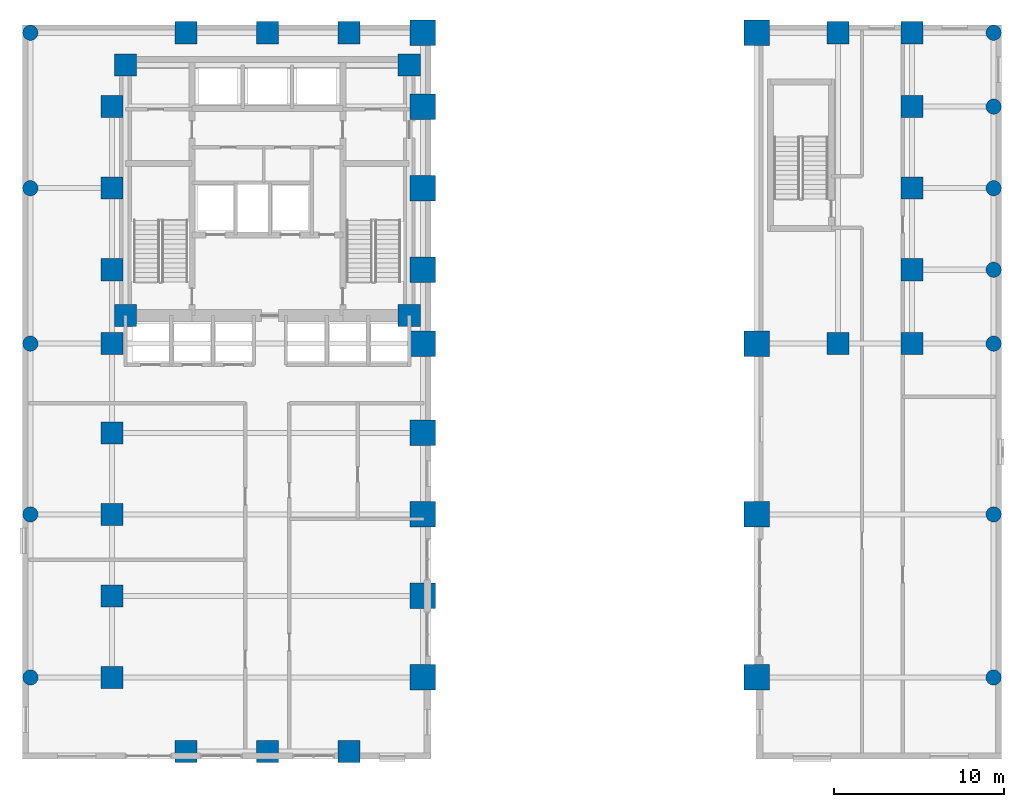
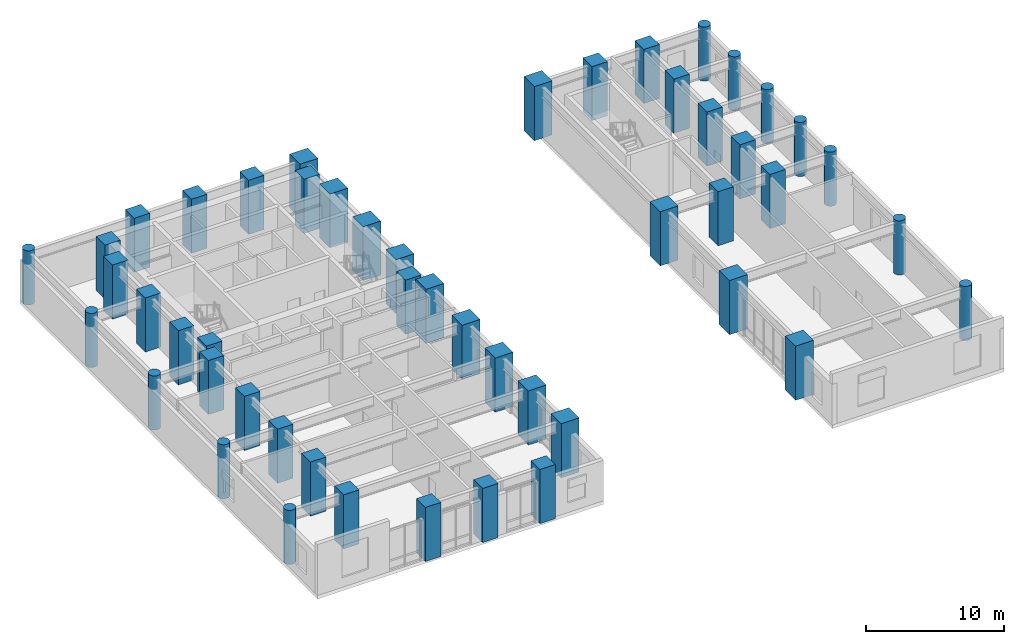
# One storey, part 1 of 11: 50 columns.
"""IFC4 building model written with IfcOpenShell, lengths in metres."""

from ifc_helpers import new_model, si_unit, direction, frame, origin, origin_2d, place, context, subcontext, project, spatial, rectangle, circle, extrude, material, material_profile, profile_set, type_object, element, save


model = new_model("IFC4")

# Units and contexts
model_context = context("Model", 3, precision=1e-05, world=origin(), true_north=direction((0.0, 1.0)))
body_context = subcontext(model_context, "Body", "Model", "MODEL_VIEW")
ifc_project = project(units=[si_unit("LENGTHUNIT", "METRE"), si_unit("AREAUNIT", "SQUARE_METRE"), si_unit("VOLUMEUNIT", "CUBIC_METRE"), si_unit("PLANEANGLEUNIT", "RADIAN"), si_unit("MASSUNIT", "GRAM", prefix="KILO")], contexts=[model_context])

# Site, building, storey
site_placement = place(None, origin())
site = spatial("IfcSite", under=ifc_project, at=site_placement, CompositionType="ELEMENT")
building_placement = place(site_placement, origin())
building = spatial("IfcBuilding", under=site, at=building_placement, Name="Orvandelia Arch Residences", CompositionType="ELEMENT")
storey_placement = place(building_placement, frame((0.0, 0.0, 5.199951171875)))
storey = spatial("IfcBuildingStorey", under=building, at=storey_placement, Name="L01", CompositionType="ELEMENT", Elevation=5.199951171875)

# Columns
ifc_material_1 = material(Name="Concrete C80/95", Category="concrete")
ifc_material_profile_1 = material_profile(ifc_material_1, rectangle(XDim=1.5, YDim=1.5, at=origin_2d()), Name="Concrete C80/95", Category="concrete")
ifc_profile_set_1 = profile_set([ifc_material_profile_1], Name="Concrete C80/95")
column_type_1 = type_object("IfcColumnType", Name="COL-MEGA-1500", PredefinedType="USERDEFINED", material=ifc_profile_set_1)
for number, where, z_axis, x_axis, name in (
    (1, (23.550048828125, 9.60009765625, 0.0), (0.0, 0.0, 1.0), (1.0, 0.0, 0.0), "Structural Column L01-W-E-96"),
    (2, (23.550048828125, 14.39990234375, 0.0), (0.0, 0.0, 1.0), (1.0, 0.0, 0.0), "Structural Column L01-W-E-144"),
    (3, (23.550048828125, 19.199951171875, 0.0), (0.0, 0.0, 1.0), (1.0, 0.0, 0.0), "Structural Column L01-W-E-192"),
    (4, (23.550048828125, 24.0, 0.0), (0.0, 0.0, 1.0), (1.0, 0.0, 0.0), "Structural Column L01-W-E-240"),
    (5, (23.550048828125, 29.25, 0.0), (0.0, 0.0, 1.0), (1.0, 0.0, 0.0), "Structural Column L01-W-E-292"),
    (6, (23.550048828125, 33.60009765625, 0.0), (0.0, 0.0, 1.0), (1.0, 0.0, 0.0), "Structural Column L01-W-E-336"),
    (7, (23.550048828125, 38.39990234375, 0.0), (0.0, 0.0, 1.0), (1.0, 0.0, 0.0), "Structural Column L01-W-E-384"),
    (8, (23.550048828125, 43.199951171875, 0.0), (0.0, 0.0, 1.0), (1.0, 0.0, 0.0), "Structural Column L01-W-E-432"),
    (9, (23.550048828125, 47.550048828125, 0.0), (0.0, 0.0, 1.0), (1.0, 0.0, 0.0), "Structural Column L01-W-N-235"),
    (10, (43.199951171875, 9.60009765625, 0.0), (0.0, 0.0, 1.0), (1.0, 0.0, 0.0), "Structural Column L01-MPE-96"),
    (11, (43.199951171875, 19.199951171875, 0.0), (0.0, 0.0, 1.0), (1.0, 0.0, 0.0), "Structural Column L01-MPE-192"),
    (12, (43.199951171875, 29.25, 0.0), (0.0, 0.0, 1.0), (1.0, 0.0, 0.0), "Structural Column L01-E-S-432"),
    (13, (43.199951171875, 47.550048828125, 0.0), (0.0, 0.0, 1.0), (1.0, 0.0, 0.0), "Structural Column L01-E-N-432"),
):
    element("IfcColumn", number, at=place(storey_placement, frame(where, z_axis=z_axis, x_axis=x_axis)), inside=storey, type_object=column_type_1, Name=name, ObjectType="PIER COLUMN", PredefinedType="USERDEFINED", context=body_context, shape_type="SweptSolid", body=[
        extrude(rectangle(XDim=1.5, YDim=1.5, at=origin_2d()), origin(), (0.0, 0.0, 1.0), 4.800048828125),
    ])
ifc_material_2 = material(Name="Concrete C60/75", Category="concrete")
ifc_material_profile_2 = material_profile(ifc_material_2, circle(Radius=0.449951171875, at=origin_2d()), Name="Concrete C60/75", Category="concrete")
ifc_profile_set_2 = profile_set([ifc_material_profile_2], Name="Concrete C60/75")
column_type_2 = type_object("IfcColumnType", Name="COL-POD-900C", PredefinedType="COLUMN", material=ifc_profile_set_2)
for number, where, z_axis, x_axis, name in (
    (14, (0.449951171875, 9.60009765625, 0.0), (0.0, 0.0, 1.0), (1.0, 0.0, 0.0), "Structural Column L01-POD-W0-96"),
    (15, (0.449951171875, 19.199951171875, 0.0), (0.0, 0.0, 1.0), (1.0, 0.0, 0.0), "Structural Column L01-POD-W0-192"),
    (16, (0.449951171875, 29.25, 0.0), (0.0, 0.0, 1.0), (1.0, 0.0, 0.0), "Structural Column L01-POD-W0-292"),
    (17, (0.449951171875, 38.39990234375, 0.0), (0.0, 0.0, 1.0), (1.0, 0.0, 0.0), "Structural Column L01-POD-W0-384"),
    (18, (0.449951171875, 47.550048828125, 0.0), (0.0, 0.0, 1.0), (1.0, 0.0, 0.0), "Structural Column L01-POD-W0-475"),
    (19, (57.14990234375, 9.60009765625, 0.0), (0.0, 0.0, 1.0), (1.0, 0.0, 0.0), "Structural Column L01-POD-E0-96"),
    (20, (57.14990234375, 19.199951171875, 0.0), (0.0, 0.0, 1.0), (1.0, 0.0, 0.0), "Structural Column L01-POD-E0-192"),
    (21, (57.14990234375, 29.25, 0.0), (0.0, 0.0, 1.0), (1.0, 0.0, 0.0), "Structural Column L01-POD-E0-292"),
    (22, (57.14990234375, 33.60009765625, 0.0), (0.0, 0.0, 1.0), (1.0, 0.0, 0.0), "Structural Column L01-E-571-336"),
    (23, (57.14990234375, 38.39990234375, 0.0), (0.0, 0.0, 1.0), (1.0, 0.0, 0.0), "Structural Column L01-POD-E0-384"),
    (24, (57.14990234375, 43.199951171875, 0.0), (0.0, 0.0, 1.0), (1.0, 0.0, 0.0), "Structural Column L01-E-571-432"),
    (25, (57.14990234375, 47.550048828125, 0.0), (0.0, 0.0, 1.0), (1.0, 0.0, 0.0), "Structural Column L01-POD-E0-475"),
):
    element("IfcColumn", number, at=place(storey_placement, frame(where, z_axis=z_axis, x_axis=x_axis)), inside=storey, type_object=column_type_2, Name=name, PredefinedType="COLUMN", context=body_context, shape_type="SweptSolid", body=[
        extrude(circle(Radius=0.449951171875, at=origin_2d()), origin(), (0.0, 0.0, 1.0), 4.800048828125),
    ])
ifc_material_profile_3 = material_profile(ifc_material_1, rectangle(XDim=1.300048828125, YDim=1.300048828125, at=origin_2d()), Name="Concrete C80/95", Category="concrete")
ifc_profile_set_3 = profile_set([ifc_material_profile_3], Name="Concrete C80/95")
column_type_3 = type_object("IfcColumnType", Name="COL-TWR-1300", PredefinedType="COLUMN", material=ifc_profile_set_3)
for number, where, z_axis, x_axis, name in (
    (26, (5.25, 9.60009765625, 0.0), (0.0, 0.0, 1.0), (1.0, 0.0, 0.0), "Structural Column L01-W-W-96"),
    (27, (5.25, 14.39990234375, 0.0), (0.0, 0.0, 1.0), (1.0, 0.0, 0.0), "Structural Column L01-W-W-144"),
    (28, (5.25, 19.199951171875, 0.0), (0.0, 0.0, 1.0), (1.0, 0.0, 0.0), "Structural Column L01-W-W-192"),
    (29, (5.25, 24.0, 0.0), (0.0, 0.0, 1.0), (1.0, 0.0, 0.0), "Structural Column L01-W-W-240"),
    (30, (5.25, 29.25, 0.0), (0.0, 0.0, 1.0), (1.0, 0.0, 0.0), "Structural Column L01-W-W-292"),
    (31, (5.25, 33.60009765625, 0.0), (0.0, 0.0, 1.0), (1.0, 0.0, 0.0), "Structural Column L01-W-W-336"),
    (32, (5.25, 38.39990234375, 0.0), (0.0, 0.0, 1.0), (1.0, 0.0, 0.0), "Structural Column L01-W-W-384"),
    (33, (5.25, 43.199951171875, 0.0), (0.0, 0.0, 1.0), (1.0, 0.0, 0.0), "Structural Column L01-W-W-432"),
    (34, (6.050048828125, 30.89990234375, 0.0), (0.0, 0.0, 1.0), (1.0, 0.0, 0.0), "Structural Column L01-CR-SW"),
    (35, (6.050048828125, 45.64990234375, 0.0), (0.0, 0.0, 1.0), (1.0, 0.0, 0.0), "Structural Column L01-CR-NW"),
    (36, (9.60009765625, 5.25, 0.0), (0.0, 0.0, 1.0), (1.0, 0.0, 0.0), "Structural Column L01-W-S-96"),
    (37, (9.60009765625, 47.550048828125, 0.0), (0.0, 0.0, 1.0), (1.0, 0.0, 0.0), "Structural Column L01-W-N-96"),
    (38, (14.39990234375, 5.25, 0.0), (0.0, 0.0, 1.0), (1.0, 0.0, 0.0), "Structural Column L01-W-S-144"),
    (39, (14.39990234375, 47.550048828125, 0.0), (0.0, 0.0, 1.0), (1.0, 0.0, 0.0), "Structural Column L01-W-N-144"),
    (40, (19.199951171875, 5.25, 0.0), (0.0, 0.0, 1.0), (1.0, 0.0, 0.0), "Structural Column L01-W-S-192"),
    (41, (19.199951171875, 47.550048828125, 0.0), (0.0, 0.0, 1.0), (1.0, 0.0, 0.0), "Structural Column L01-W-N-192"),
    (42, (22.75, 30.89990234375, 0.0), (0.0, 0.0, 1.0), (1.0, 0.0, 0.0), "Structural Column L01-CR-SE"),
    (43, (22.75, 45.64990234375, 0.0), (0.0, 0.0, 1.0), (1.0, 0.0, 0.0), "Structural Column L01-CR-NE"),
    (44, (48.0, 29.25, 0.0), (0.0, 0.0, 1.0), (1.0, 0.0, 0.0), "Structural Column L01-E-S-480"),
    (45, (48.0, 47.550048828125, 0.0), (0.0, 0.0, 1.0), (1.0, 0.0, 0.0), "Structural Column L01-E-N-480"),
    (46, (52.35009765625, 29.25, 0.0), (0.0, 0.0, 1.0), (1.0, 0.0, 0.0), "Structural Column L01-E-S-523"),
    (47, (52.35009765625, 33.60009765625, 0.0), (0.0, 0.0, 1.0), (1.0, 0.0, 0.0), "Structural Column L01-E-523-336"),
    (48, (52.35009765625, 38.39990234375, 0.0), (0.0, 0.0, 1.0), (1.0, 0.0, 0.0), "Structural Column L01-E-523-384"),
    (49, (52.35009765625, 43.199951171875, 0.0), (0.0, 0.0, 1.0), (1.0, 0.0, 0.0), "Structural Column L01-E-523-432"),
    (50, (52.35009765625, 47.550048828125, 0.0), (0.0, 0.0, 1.0), (1.0, 0.0, 0.0), "Structural Column L01-E-N-523"),
):
    element("IfcColumn", number, at=place(storey_placement, frame(where, z_axis=z_axis, x_axis=x_axis)), inside=storey, type_object=column_type_3, Name=name, PredefinedType="COLUMN", context=body_context, shape_type="SweptSolid", body=[
        extrude(rectangle(XDim=1.300048828125, YDim=1.300048828125, at=origin_2d()), origin(), (0.0, 0.0, 1.0), 4.800048828125),
    ])

save(model, "model.ifc")
